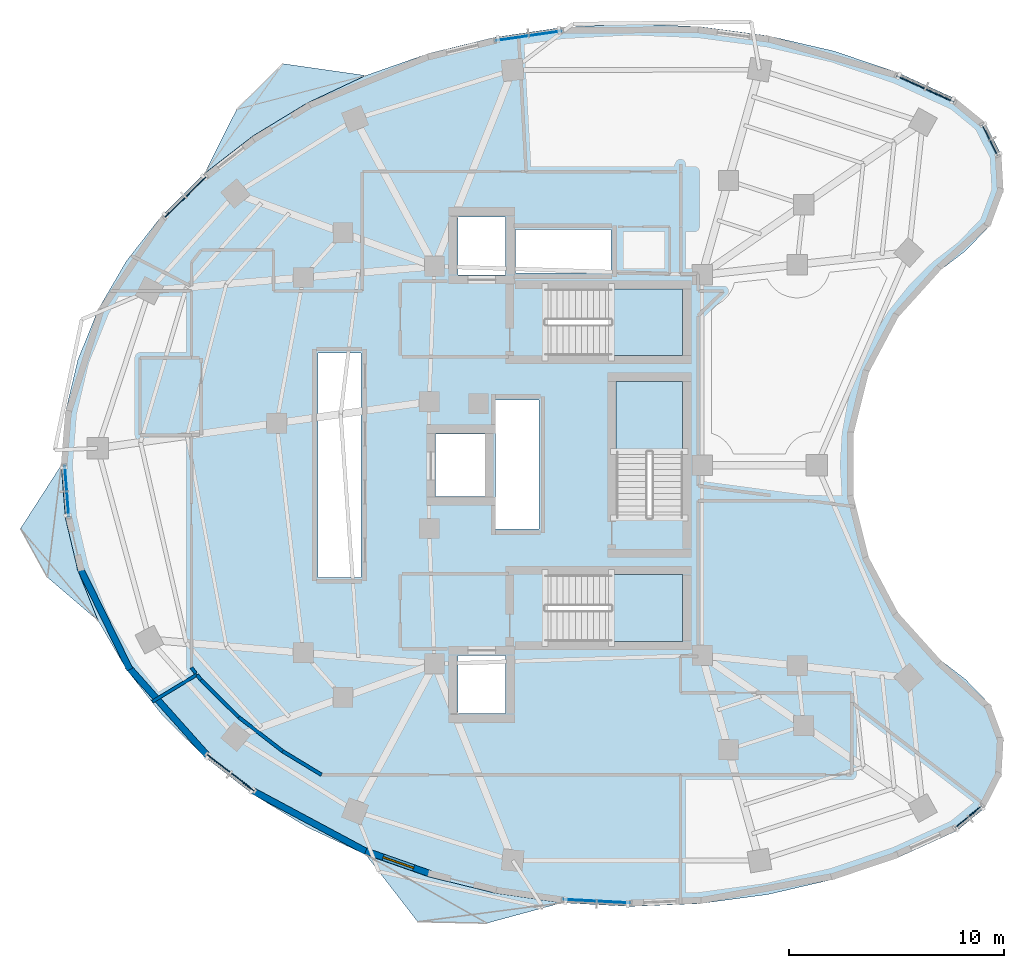
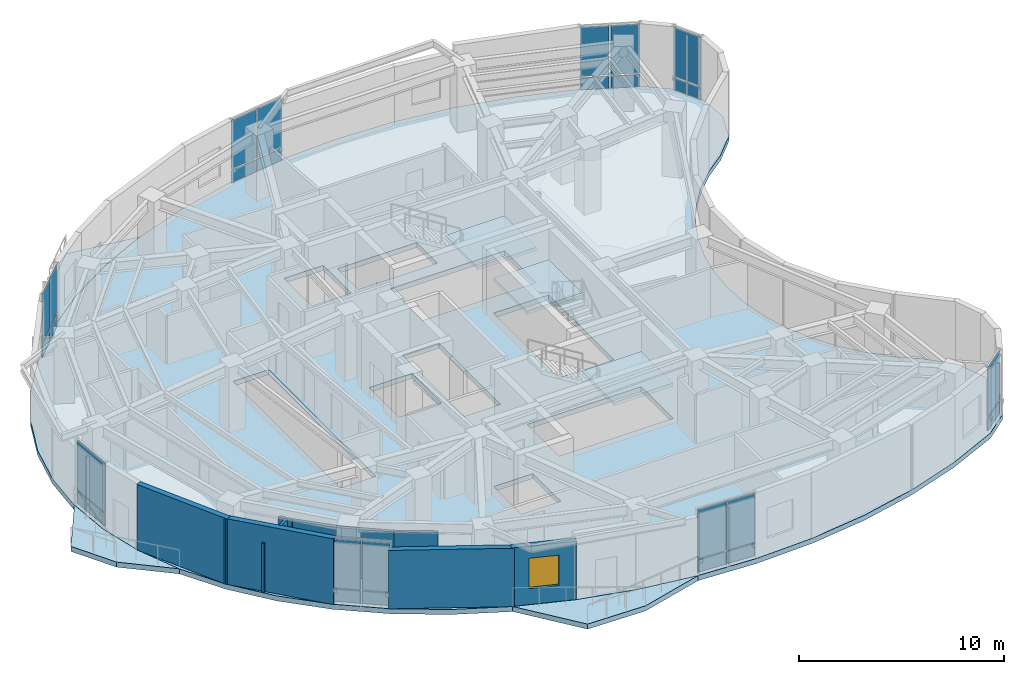
# One storey, part 6 of 13: 26 plates, 10 walls, 7 slabs, 1 window, 1 opening, 11 elements without a shape of their own.
"""IFC4 building model written with IfcOpenShell, lengths in metres."""

from ifc_helpers import new_model, si_unit, direction, frame, frame_2d, origin, origin_2d, place, context, subcontext, project, spatial, polyline, rectangle, outline, extrude, material, layer, layer_set, type_object, element, fill, aggregate, save


model = new_model("IFC4")

# Units and contexts
model_context = context("Model", 3, precision=1e-05, world=origin(), true_north=direction((0.0, 1.0)))
body_context = subcontext(model_context, "Body", "Model", "MODEL_VIEW")
ifc_project = project(units=[si_unit("LENGTHUNIT", "METRE"), si_unit("AREAUNIT", "SQUARE_METRE"), si_unit("VOLUMEUNIT", "CUBIC_METRE"), si_unit("PLANEANGLEUNIT", "RADIAN"), si_unit("MASSUNIT", "GRAM", prefix="KILO")], contexts=[model_context])

# Site, building, storey
site_placement = place(None, origin())
site = spatial("IfcSite", under=ifc_project, at=site_placement, CompositionType="ELEMENT")
building_placement = place(site_placement, origin())
building = spatial("IfcBuilding", under=site, at=building_placement, Name="Korentha Bioscience Tower", CompositionType="ELEMENT")
storey_placement = place(building_placement, frame((0.0, 0.0, 175.199951171875)))
storey = spatial("IfcBuildingStorey", under=building, at=storey_placement, Name="L40", CompositionType="ELEMENT", Elevation=175.199951171875)

# Curtain wall, plates
ifc_material_1 = material(Name="Thermally Broken Aluminium Frame", Category="aluminium")
ifc_layer_1 = layer(ifc_material_1, 0.219970703125, Name="Thermally Broken Aluminium Frame")
ifc_layer_set_1 = layer_set([ifc_layer_1], Name="Thermally Broken Aluminium Frame (CW-T2)")
curtain_wall_type = type_object("IfcCurtainWallType", Name="Solar-Screened Lab Unitised Curtain Wall CW-T2", PredefinedType="USERDEFINED", material=ifc_layer_set_1)
curtain_wall_1_placement = place(storey_placement, origin())
curtain_wall_1 = element("IfcCurtainWall", 1, at=curtain_wall_1_placement, inside=storey, type_object=curtain_wall_type, Name="L40 Curtain Wall 01", ObjectType="UNITISED", PredefinedType="USERDEFINED")
ifc_material_2 = material(Name="Triple-Glazed Low-E Insulated Glass", Category="glass")
ifc_layer_2 = layer(ifc_material_2, 0.0439453125, Name="Triple-Glazed Low-E Insulated Glass")
ifc_layer_set_2 = layer_set([ifc_layer_2], Name="Triple-Glazed Low-E Insulated Glass (GL-44)")
plate_type = type_object("IfcPlateType", Name="Glazed Panel 44mm", PredefinedType="CURTAIN_PANEL", material=ifc_layer_set_2)
plate_1_placement = place(storey_placement, frame((48.625732421875, 44.190673828125, 0.08984375), z_axis=(0.0, 0.0, 1.0), x_axis=(-0.910644398392, 0.413190972406, 0.0)))
plate_1 = element("IfcPlate", 2, at=plate_1_placement, type_object=plate_type, Name="CW-L40-01 Bay 1 Glazed Panel 1", PredefinedType="CURTAIN_PANEL", context=body_context, shape_type="SweptSolid", body=[
    extrude(rectangle(XDim=1.422607421875, YDim=0.0439453125, at=origin_2d()), origin(), (0.0, 0.0, 1.0), 0.715087890625),
])
plate_2_placement = place(storey_placement, frame((48.625732421875, 44.190673828125, 0.89501953125), z_axis=(0.0, 0.0, 1.0), x_axis=(-0.910644398392, 0.413190972406, 0.0)))
plate_2 = element("IfcPlate", 3, at=plate_2_placement, type_object=plate_type, Name="CW-L40-01 Bay 1 Glazed Panel 2", PredefinedType="CURTAIN_PANEL", context=body_context, shape_type="SweptSolid", body=[
    extrude(rectangle(XDim=1.422607421875, YDim=0.0439453125, at=origin_2d()), origin(), (0.0, 0.0, 1.0), 2.9150390625),
])
plate_3_placement = place(storey_placement, frame((47.248291015625, 44.815673828125, 0.08984375), z_axis=(0.0, 0.0, 1.0), x_axis=(-0.910644398392, 0.413190972406, 0.0)))
plate_3 = element("IfcPlate", 4, at=plate_3_placement, type_object=plate_type, Name="CW-L40-01 Bay 2 Glazed Panel 1", PredefinedType="CURTAIN_PANEL", context=body_context, shape_type="SweptSolid", body=[
    extrude(rectangle(XDim=1.422607421875, YDim=0.0439453125, at=origin_2d()), origin(), (0.0, 0.0, 1.0), 0.715087890625),
])
plate_4_placement = place(storey_placement, frame((47.248291015625, 44.815673828125, 0.89501953125), z_axis=(0.0, 0.0, 1.0), x_axis=(-0.910644398392, 0.413190972406, 0.0)))
plate_4 = element("IfcPlate", 5, at=plate_4_placement, type_object=plate_type, Name="CW-L40-01 Bay 2 Glazed Panel 2", PredefinedType="CURTAIN_PANEL", context=body_context, shape_type="SweptSolid", body=[
    extrude(rectangle(XDim=1.422607421875, YDim=0.0439453125, at=origin_2d()), origin(), (0.0, 0.0, 1.0), 2.9150390625),
])
aggregate(curtain_wall_1, [plate_1, plate_2, plate_3, plate_4])

curtain_wall_2_placement = place(storey_placement, origin())
curtain_wall_2 = element("IfcCurtainWall", 6, at=curtain_wall_2_placement, inside=storey, type_object=curtain_wall_type, Name="L40 Curtain Wall 07", ObjectType="UNITISED", PredefinedType="USERDEFINED")
plate_5_placement = place(storey_placement, frame((30.27099609375, 47.090087890625, 0.08984375), z_axis=(0.0, 0.0, 1.0), x_axis=(-0.989461919888, -0.144793332342, 0.0)))
plate_5 = element("IfcPlate", 7, at=plate_5_placement, type_object=plate_type, Name="CW-L40-07 Bay 1 Glazed Panel 1", PredefinedType="CURTAIN_PANEL", context=body_context, shape_type="SweptSolid", body=[
    extrude(rectangle(XDim=1.498291015625, YDim=0.0439453125, at=origin_2d()), origin(), (0.0, 0.0, 1.0), 0.715087890625),
])
plate_6_placement = place(storey_placement, frame((30.27099609375, 47.090087890625, 0.89501953125), z_axis=(0.0, 0.0, 1.0), x_axis=(-0.989461919888, -0.144793332342, 0.0)))
plate_6 = element("IfcPlate", 8, at=plate_6_placement, type_object=plate_type, Name="CW-L40-07 Bay 1 Glazed Panel 2", PredefinedType="CURTAIN_PANEL", context=body_context, shape_type="SweptSolid", body=[
    extrude(rectangle(XDim=1.498291015625, YDim=0.0439453125, at=origin_2d()), origin(), (0.0, 0.0, 1.0), 2.9150390625),
])
plate_7_placement = place(storey_placement, frame((28.69921875, 46.860107421875, 0.08984375), z_axis=(0.0, 0.0, 1.0), x_axis=(-0.989461919888, -0.144793332342, 0.0)))
plate_7 = element("IfcPlate", 9, at=plate_7_placement, type_object=plate_type, Name="CW-L40-07 Bay 2 Glazed Panel 1", PredefinedType="CURTAIN_PANEL", context=body_context, shape_type="SweptSolid", body=[
    extrude(rectangle(XDim=1.498291015625, YDim=0.0439453125, at=origin_2d()), origin(), (0.0, 0.0, 1.0), 0.715087890625),
])
plate_8_placement = place(storey_placement, frame((28.69921875, 46.860107421875, 0.89501953125), z_axis=(0.0, 0.0, 1.0), x_axis=(-0.989461919888, -0.144793332342, 0.0)))
plate_8 = element("IfcPlate", 10, at=plate_8_placement, type_object=plate_type, Name="CW-L40-07 Bay 2 Glazed Panel 2", PredefinedType="CURTAIN_PANEL", context=body_context, shape_type="SweptSolid", body=[
    extrude(rectangle(XDim=1.498291015625, YDim=0.0439453125, at=origin_2d()), origin(), (0.0, 0.0, 1.0), 2.9150390625),
])
aggregate(curtain_wall_2, [plate_5, plate_6, plate_7, plate_8])

curtain_wall_3_placement = place(storey_placement, origin())
curtain_wall_3 = element("IfcCurtainWall", 11, at=curtain_wall_3_placement, inside=storey, type_object=curtain_wall_type, Name="L40 Curtain Wall 13", ObjectType="UNITISED", PredefinedType="USERDEFINED")
plate_9_placement = place(storey_placement, frame((14.00830078125, 39.957763671875, 0.08984375), z_axis=(0.0, 0.0, 1.0), x_axis=(-0.711460557971, -0.702726030862, 0.0)))
plate_9 = element("IfcPlate", 12, at=plate_9_placement, type_object=plate_type, Name="CW-L40-13 Bay 1 Glazed Panel 1", PredefinedType="CURTAIN_PANEL", context=body_context, shape_type="SweptSolid", body=[
    extrude(rectangle(XDim=1.290283203125, YDim=0.0439453125, at=origin_2d()), origin(), (0.0, 0.0, 1.0), 0.715087890625),
])
plate_10_placement = place(storey_placement, frame((14.00830078125, 39.957763671875, 0.89501953125), z_axis=(0.0, 0.0, 1.0), x_axis=(-0.711460557971, -0.702726030862, 0.0)))
plate_10 = element("IfcPlate", 13, at=plate_10_placement, type_object=plate_type, Name="CW-L40-13 Bay 1 Glazed Panel 2", PredefinedType="CURTAIN_PANEL", context=body_context, shape_type="SweptSolid", body=[
    extrude(rectangle(XDim=1.290283203125, YDim=0.0439453125, at=origin_2d()), origin(), (0.0, 0.0, 1.0), 2.9150390625),
])
plate_11_placement = place(storey_placement, frame((13.0263671875, 38.98779296875, 0.08984375), z_axis=(0.0, 0.0, 1.0), x_axis=(-0.711460557971, -0.702726030862, 0.0)))
plate_11 = element("IfcPlate", 14, at=plate_11_placement, type_object=plate_type, Name="CW-L40-13 Bay 2 Glazed Panel 1", PredefinedType="CURTAIN_PANEL", context=body_context, shape_type="SweptSolid", body=[
    extrude(rectangle(XDim=1.290283203125, YDim=0.0439453125, at=origin_2d()), origin(), (0.0, 0.0, 1.0), 0.715087890625),
])
plate_12_placement = place(storey_placement, frame((13.0263671875, 38.98779296875, 0.89501953125), z_axis=(0.0, 0.0, 1.0), x_axis=(-0.711460557971, -0.702726030862, 0.0)))
plate_12 = element("IfcPlate", 15, at=plate_12_placement, type_object=plate_type, Name="CW-L40-13 Bay 2 Glazed Panel 2", PredefinedType="CURTAIN_PANEL", context=body_context, shape_type="SweptSolid", body=[
    extrude(rectangle(XDim=1.290283203125, YDim=0.0439453125, at=origin_2d()), origin(), (0.0, 0.0, 1.0), 2.9150390625),
])
aggregate(curtain_wall_3, [plate_9, plate_10, plate_11, plate_12])

curtain_wall_4_placement = place(storey_placement, origin())
curtain_wall_4 = element("IfcCurtainWall", 16, at=curtain_wall_4_placement, inside=storey, type_object=curtain_wall_type, Name="L40 Curtain Wall 19", ObjectType="UNITISED", PredefinedType="USERDEFINED")
plate_13_placement = place(storey_placement, frame((7.991943359375, 25.781005859375, 0.08984375), z_axis=(0.0, 0.0, 1.0), x_axis=(0.078030772566, -0.996950950916, 0.0)))
plate_13 = element("IfcPlate", 17, at=plate_13_placement, type_object=plate_type, Name="CW-L40-19 Bay 1 Glazed Panel 1", PredefinedType="CURTAIN_PANEL", context=body_context, shape_type="SweptSolid", body=[
    extrude(rectangle(XDim=2.370361328125, YDim=0.0439453125, at=origin_2d()), origin(), (0.0, 0.0, 1.0), 0.715087890625),
])
plate_14_placement = place(storey_placement, frame((7.991943359375, 25.781005859375, 0.89501953125), z_axis=(0.0, 0.0, 1.0), x_axis=(0.078030772566, -0.996950950916, 0.0)))
plate_14 = element("IfcPlate", 18, at=plate_14_placement, type_object=plate_type, Name="CW-L40-19 Bay 1 Glazed Panel 2", PredefinedType="CURTAIN_PANEL", context=body_context, shape_type="SweptSolid", body=[
    extrude(rectangle(XDim=2.370361328125, YDim=0.0439453125, at=origin_2d()), origin(), (0.0, 0.0, 1.0), 2.9150390625),
])
aggregate(curtain_wall_4, [plate_13, plate_14])

curtain_wall_5_placement = place(storey_placement, origin())
curtain_wall_5 = element("IfcCurtainWall", 19, at=curtain_wall_5_placement, inside=storey, type_object=curtain_wall_type, Name="L40 Curtain Wall 25", ObjectType="UNITISED", PredefinedType="USERDEFINED")
plate_15_placement = place(storey_placement, frame((15.0556640625, 13.126953125, 0.08984375), z_axis=(0.0, 0.0, 1.0), x_axis=(0.790546796919, -0.612401634454, 0.0)))
plate_15 = element("IfcPlate", 20, at=plate_15_placement, type_object=plate_type, Name="CW-L40-25 Bay 1 Glazed Panel 1", PredefinedType="CURTAIN_PANEL", context=body_context, shape_type="SweptSolid", body=[
    extrude(rectangle(XDim=1.3349609375, YDim=0.0439453125, at=origin_2d()), origin(), (0.0, 0.0, 1.0), 0.715087890625),
])
plate_16_placement = place(storey_placement, frame((15.0556640625, 13.126953125, 0.89501953125), z_axis=(0.0, 0.0, 1.0), x_axis=(0.790546796919, -0.612401634454, 0.0)))
plate_16 = element("IfcPlate", 21, at=plate_16_placement, type_object=plate_type, Name="CW-L40-25 Bay 1 Glazed Panel 2", PredefinedType="CURTAIN_PANEL", context=body_context, shape_type="SweptSolid", body=[
    extrude(rectangle(XDim=1.3349609375, YDim=0.0439453125, at=origin_2d()), origin(), (0.0, 0.0, 1.0), 2.9150390625),
])
plate_17_placement = place(storey_placement, frame((16.18212890625, 12.25439453125, 0.08984375), z_axis=(0.0, 0.0, 1.0), x_axis=(0.790546796919, -0.612401634454, 0.0)))
plate_17 = element("IfcPlate", 22, at=plate_17_placement, type_object=plate_type, Name="CW-L40-25 Bay 2 Glazed Panel 1", PredefinedType="CURTAIN_PANEL", context=body_context, shape_type="SweptSolid", body=[
    extrude(rectangle(XDim=1.3349609375, YDim=0.0439453125, at=origin_2d()), origin(), (0.0, 0.0, 1.0), 0.715087890625),
])
plate_18_placement = place(storey_placement, frame((16.18212890625, 12.25439453125, 0.89501953125), z_axis=(0.0, 0.0, 1.0), x_axis=(0.790546796919, -0.612401634454, 0.0)))
plate_18 = element("IfcPlate", 23, at=plate_18_placement, type_object=plate_type, Name="CW-L40-25 Bay 2 Glazed Panel 2", PredefinedType="CURTAIN_PANEL", context=body_context, shape_type="SweptSolid", body=[
    extrude(rectangle(XDim=1.3349609375, YDim=0.0439453125, at=origin_2d()), origin(), (0.0, 0.0, 1.0), 2.9150390625),
])
aggregate(curtain_wall_5, [plate_15, plate_16, plate_17, plate_18])

curtain_wall_6_placement = place(storey_placement, origin())
curtain_wall_6 = element("IfcCurtainWall", 24, at=curtain_wall_6_placement, inside=storey, type_object=curtain_wall_type, Name="L40 Curtain Wall 31", ObjectType="UNITISED", PredefinedType="USERDEFINED")
plate_19_placement = place(storey_placement, frame((31.849853515625, 6.75390625, 0.08984375), z_axis=(0.0, 0.0, 1.0), x_axis=(0.998637677307, -0.052180355139, 0.0)))
plate_19 = element("IfcPlate", 25, at=plate_19_placement, type_object=plate_type, Name="CW-L40-31 Bay 1 Glazed Panel 1", PredefinedType="CURTAIN_PANEL", context=body_context, shape_type="SweptSolid", body=[
    extrude(rectangle(XDim=1.50830078125, YDim=0.0439453125, at=origin_2d()), origin(), (0.0, 0.0, 1.0), 0.715087890625),
])
plate_20_placement = place(storey_placement, frame((31.849853515625, 6.75390625, 0.89501953125), z_axis=(0.0, 0.0, 1.0), x_axis=(0.998637677307, -0.052180355139, 0.0)))
plate_20 = element("IfcPlate", 26, at=plate_20_placement, type_object=plate_type, Name="CW-L40-31 Bay 1 Glazed Panel 2", PredefinedType="CURTAIN_PANEL", context=body_context, shape_type="SweptSolid", body=[
    extrude(rectangle(XDim=1.50830078125, YDim=0.0439453125, at=origin_2d()), origin(), (0.0, 0.0, 1.0), 2.9150390625),
])
plate_21_placement = place(storey_placement, frame((33.446044921875, 6.67041015625, 0.08984375), z_axis=(0.0, 0.0, 1.0), x_axis=(0.998637677307, -0.052180355139, 0.0)))
plate_21 = element("IfcPlate", 27, at=plate_21_placement, type_object=plate_type, Name="CW-L40-31 Bay 2 Glazed Panel 1", PredefinedType="CURTAIN_PANEL", context=body_context, shape_type="SweptSolid", body=[
    extrude(rectangle(XDim=1.50830078125, YDim=0.0439453125, at=origin_2d()), origin(), (0.0, 0.0, 1.0), 0.715087890625),
])
plate_22_placement = place(storey_placement, frame((33.446044921875, 6.67041015625, 0.89501953125), z_axis=(0.0, 0.0, 1.0), x_axis=(0.998637677307, -0.052180355139, 0.0)))
plate_22 = element("IfcPlate", 28, at=plate_22_placement, type_object=plate_type, Name="CW-L40-31 Bay 2 Glazed Panel 2", PredefinedType="CURTAIN_PANEL", context=body_context, shape_type="SweptSolid", body=[
    extrude(rectangle(XDim=1.50830078125, YDim=0.0439453125, at=origin_2d()), origin(), (0.0, 0.0, 1.0), 2.9150390625),
])
aggregate(curtain_wall_6, [plate_19, plate_20, plate_21, plate_22])

curtain_wall_7_placement = place(storey_placement, origin())
curtain_wall_7 = element("IfcCurtainWall", 29, at=curtain_wall_7_placement, inside=storey, type_object=curtain_wall_type, Name="L40 Curtain Wall 37", ObjectType="UNITISED", PredefinedType="USERDEFINED")
plate_23_placement = place(storey_placement, frame((49.938720703125, 10.637451171875, 0.08984375), z_axis=(0.0, 0.0, 1.0), x_axis=(0.77425646139, 0.632871971251, 0.0)))
plate_23 = element("IfcPlate", 30, at=plate_23_placement, type_object=plate_type, Name="CW-L40-37 Bay 1 Glazed Panel 1", PredefinedType="CURTAIN_PANEL", context=body_context, shape_type="SweptSolid", body=[
    extrude(rectangle(XDim=1.591796875, YDim=0.0439453125, at=origin_2d()), origin(), (0.0, 0.0, 1.0), 0.715087890625),
])
plate_24_placement = place(storey_placement, frame((49.938720703125, 10.637451171875, 0.89501953125), z_axis=(0.0, 0.0, 1.0), x_axis=(0.77425646139, 0.632871971251, 0.0)))
plate_24 = element("IfcPlate", 31, at=plate_24_placement, type_object=plate_type, Name="CW-L40-37 Bay 1 Glazed Panel 2", PredefinedType="CURTAIN_PANEL", context=body_context, shape_type="SweptSolid", body=[
    extrude(rectangle(XDim=1.591796875, YDim=0.0439453125, at=origin_2d()), origin(), (0.0, 0.0, 1.0), 2.9150390625),
])
aggregate(curtain_wall_7, [plate_23, plate_24])

curtain_wall_8_placement = place(storey_placement, origin())
curtain_wall_8 = element("IfcCurtainWall", 32, at=curtain_wall_8_placement, inside=storey, type_object=curtain_wall_type, Name="L40 Curtain Wall 61", ObjectType="UNITISED", PredefinedType="USERDEFINED")
plate_25_placement = place(storey_placement, frame((50.936767578125, 42.124755859375, 0.08984375), z_axis=(0.0, 0.0, 1.0), x_axis=(-0.45428845847, 0.890854643868, 0.0)))
plate_25 = element("IfcPlate", 33, at=plate_25_placement, type_object=plate_type, Name="CW-L40-61 Bay 1 Glazed Panel 1", PredefinedType="CURTAIN_PANEL", context=body_context, shape_type="SweptSolid", body=[
    extrude(rectangle(XDim=1.591796875, YDim=0.0439453125, at=origin_2d()), origin(), (0.0, 0.0, 1.0), 0.715087890625),
])
plate_26_placement = place(storey_placement, frame((50.936767578125, 42.124755859375, 0.89501953125), z_axis=(0.0, 0.0, 1.0), x_axis=(-0.45428845847, 0.890854643868, 0.0)))
plate_26 = element("IfcPlate", 34, at=plate_26_placement, type_object=plate_type, Name="CW-L40-61 Bay 1 Glazed Panel 2", PredefinedType="CURTAIN_PANEL", context=body_context, shape_type="SweptSolid", body=[
    extrude(rectangle(XDim=1.591796875, YDim=0.0439453125, at=origin_2d()), origin(), (0.0, 0.0, 1.0), 2.9150390625),
])
aggregate(curtain_wall_8, [plate_25, plate_26])

# Slab
ifc_material_3 = material(Name="Concrete C50", Category="concrete")
ifc_layer_3 = layer(ifc_material_3, 0.300048828125, Name="Concrete C50")
ifc_layer_set_3 = layer_set([ifc_layer_3], Name="Concrete C50 (SL-L300)")
slab_type_1 = type_object("IfcSlabType", Name="Laboratory Vibration-Controlled Slab 300", PredefinedType="FLOOR", material=ifc_layer_set_3)
slab_1_placement = place(storey_placement, frame((0.0, 0.0, -0.300048828125)))
element("IfcSlab", 35, at=slab_1_placement, inside=storey, type_object=slab_type_1, Name="L40 Tower Structural Floor Slab", PredefinedType="FLOOR", context=body_context, shape_type="SweptSolid", body=[
    extrude(outline(polyline([(49.38525390625, 44.021728515625), (46.62109375, 45.27587890625), (43.681396484375, 46.266357421875), (40.608154296875, 46.978515625), (37.446044921875, 47.40234375), (34.24072265625, 47.531494140625), (31.038330078125, 47.364013671875), (27.88525390625, 46.902587890625), (24.826904296875, 46.154052734375), (21.907470703125, 45.128662109375), (19.169189453125, 43.841552734375), (16.6513671875, 42.311279296875), (14.390380859375, 40.56005859375), (12.419189453125, 38.613037109375), (10.76611328125, 36.498291015625), (9.454833984375, 34.246337890625), (8.504638671875, 31.889892578125), (7.9287109375, 29.462646484375), (7.736083984375, 27.0), (7.9287109375, 24.537353515625), (8.504638671875, 22.110107421875), (9.454833984375, 19.753662109375), (10.76611328125, 17.501708984375), (12.419189453125, 15.386962890625), (14.390380859375, 13.43994140625), (16.6513671875, 11.688720703125), (19.169189453125, 10.158447265625), (21.907470703125, 8.871337890625), (24.826904296875, 7.845947265625), (27.88525390625, 7.097412109375), (31.038330078125, 6.635986328125), (34.24072265625, 6.468505859375), (37.446044921875, 6.59765625), (40.608154296875, 7.021484375), (43.681396484375, 7.733642578125), (46.62109375, 8.72412109375), (49.38525390625, 9.978271484375), (50.695068359375, 11.048828125), (51.46337890625, 12.55615234375), (51.560791015625, 14.2451171875), (50.970458984375, 15.83056640625), (49.792236328125, 17.044677734375), (48.629150390625, 17.937255859375), (47.583251953125, 18.96484375), (46.670654296875, 20.1123046875), (45.904541015625, 21.3623046875), (45.29638671875, 22.696533203125), (44.855712890625, 24.094970703125), (44.58837890625, 25.53662109375), (44.498779296875, 27.0), (44.58837890625, 28.46337890625), (44.855712890625, 29.905029296875), (45.29638671875, 31.303466796875), (45.904541015625, 32.6376953125), (46.670654296875, 33.8876953125), (47.583251953125, 35.03515625), (48.629150390625, 36.062744140625), (49.792236328125, 36.955322265625), (50.970458984375, 38.16943359375), (51.560791015625, 39.7548828125), (51.46337890625, 41.44384765625), (50.695068359375, 42.951171875), (49.38525390625, 44.021728515625)]), holes=[polyline([(30.25, 32.10009765625), (36.64990234375, 32.10009765625), (36.64990234375, 35.199951171875), (30.25, 35.199951171875), (30.25, 32.10009765625)]), polyline([(30.25, 18.800048828125), (36.64990234375, 18.800048828125), (36.64990234375, 21.89990234375), (30.25, 21.89990234375), (30.25, 18.800048828125)]), polyline([(36.64990234375, 24.550048828125), (36.64990234375, 30.89990234375), (33.550048828125, 30.89990234375), (33.550048828125, 24.550048828125), (36.64990234375, 24.550048828125)]), polyline([(19.679931640625, 21.780029296875), (21.669921875, 21.780029296875), (21.669921875, 32.219970703125), (19.679931640625, 32.219970703125), (19.679931640625, 21.780029296875)]), polyline([(27.929931640625, 24.030029296875), (29.969970703125, 24.030029296875), (29.969970703125, 30.02001953125), (27.929931640625, 30.02001953125), (27.929931640625, 24.030029296875)]), polyline([(28.860107421875, 35.93994140625), (33.31005859375, 35.93994140625), (33.31005859375, 37.9599609375), (28.860107421875, 37.9599609375), (28.860107421875, 35.93994140625)]), polyline([(26.199951171875, 15.449951171875), (28.39990234375, 15.449951171875), (28.39990234375, 18.14990234375), (26.199951171875, 18.14990234375), (26.199951171875, 15.449951171875)]), polyline([(26.199951171875, 35.85009765625), (28.39990234375, 35.85009765625), (28.39990234375, 38.550048828125), (26.199951171875, 38.550048828125), (26.199951171875, 35.85009765625)]), polyline([(25.14990234375, 25.550048828125), (27.550048828125, 25.550048828125), (27.550048828125, 28.449951171875), (25.14990234375, 28.449951171875), (25.14990234375, 25.550048828125)])]), origin(), (0.0, 0.0, 1.0), 0.300048828125),
])

# Stair, slab
ifc_material_4 = material(Name="Precast Concrete C50", Category="concrete")
stair_type = type_object("IfcStairType", Name="Core Exit Dog-Leg Stair 1450", PredefinedType="HALF_TURN_STAIR", material=ifc_material_4)
stair_1_placement = place(storey_placement, origin())
stair_1 = element("IfcStair", 36, at=stair_1_placement, inside=storey, type_object=stair_type, Name="L40 Tower North Pressurized Exit Stair ST-1", PredefinedType="HALF_TURN_STAIR")
ifc_layer_4 = layer(ifc_material_3, 0.199951171875, Name="Concrete C50")
ifc_layer_set_4 = layer_set([ifc_layer_4], Name="Concrete C50 (SL-LND)")
slab_type_2 = type_object("IfcSlabType", Name="Landing Slab 200", PredefinedType="LANDING", material=ifc_layer_set_4)
slab_2_placement = place(storey_placement, frame((0.0, 0.0, 1.900146484375)))
slab_2 = element("IfcSlab", 37, at=slab_2_placement, type_object=slab_type_2, Name="ST-1 landing 1", PredefinedType="LANDING", context=body_context, shape_type="SweptSolid", body=[
    extrude(outline(polyline([(33.330078125, 32.10009765625), (36.64990234375, 32.10009765625), (36.64990234375, 35.199951171875), (33.330078125, 35.199951171875), (33.330078125, 32.10009765625)])), origin(), (0.0, 0.0, 1.0), 0.199951171875),
])
aggregate(stair_1, [slab_2])

stair_2_placement = place(storey_placement, origin())
stair_2 = element("IfcStair", 38, at=stair_2_placement, inside=storey, type_object=stair_type, Name="L40 Tower South Pressurized Exit Stair ST-2", PredefinedType="HALF_TURN_STAIR")
slab_3_placement = place(storey_placement, frame((0.0, 0.0, 1.900146484375)))
slab_3 = element("IfcSlab", 39, at=slab_3_placement, type_object=slab_type_2, Name="ST-2 landing 1", PredefinedType="LANDING", context=body_context, shape_type="SweptSolid", body=[
    extrude(outline(polyline([(33.330078125, 18.800048828125), (36.64990234375, 18.800048828125), (36.64990234375, 21.89990234375), (33.330078125, 21.89990234375), (33.330078125, 18.800048828125)])), origin(), (0.0, 0.0, 1.0), 0.199951171875),
])
aggregate(stair_2, [slab_3])

stair_3_placement = place(storey_placement, origin())
stair_3 = element("IfcStair", 40, at=stair_3_placement, inside=storey, type_object=stair_type, Name="L40 Tower Central Pressurized Exit Stair ST-3", PredefinedType="HALF_TURN_STAIR")
slab_4_placement = place(storey_placement, frame((0.0, 0.0, 1.900146484375)))
slab_4 = element("IfcSlab", 41, at=slab_4_placement, type_object=slab_type_2, Name="ST-3 landing 1", PredefinedType="LANDING", context=body_context, shape_type="SweptSolid", body=[
    extrude(outline(polyline([(36.64990234375, 27.6298828125), (36.64990234375, 30.89990234375), (33.550048828125, 30.89990234375), (33.550048828125, 27.6298828125), (36.64990234375, 27.6298828125)])), origin(), (0.0, 0.0, 1.0), 0.199951171875),
])
aggregate(stair_3, [slab_4])

# Slabs
ifc_layer_5 = layer(ifc_material_3, 0.300048828125, Name="Concrete C50")
ifc_layer_set_5 = layer_set([ifc_layer_5], Name="Concrete C50 (BS-240)")
slab_type_3 = type_object("IfcSlabType", Name="Sawtooth Sun-Ledge Balcony Slab 240", PredefinedType="USERDEFINED", material=ifc_layer_set_5)
slab_5_placement = place(storey_placement, frame((0.0, 0.0, -0.300048828125)))
element("IfcSlab", 42, at=slab_5_placement, inside=storey, type_object=slab_type_3, Name="L40 Sun-Ledge Balcony 01", ObjectType="BALCONY", PredefinedType="USERDEFINED", context=body_context, shape_type="SweptSolid", body=[
    extrude(outline(polyline([(14.390380859375, 40.56005859375), (16.6513671875, 42.311279296875), (19.169189453125, 43.841552734375), (21.907470703125, 45.128662109375), (18.052490234375, 45.678955078125), (15.898193359375, 43.550537109375), (14.390380859375, 40.56005859375)])), origin(), (0.0, 0.0, 1.0), 0.300048828125),
])
slab_6_placement = place(storey_placement, frame((0.0, 0.0, -0.300048828125)))
element("IfcSlab", 43, at=slab_6_placement, inside=storey, type_object=slab_type_3, Name="L40 Sun-Ledge Balcony 02", ObjectType="BALCONY", PredefinedType="USERDEFINED", context=body_context, shape_type="SweptSolid", body=[
    extrude(outline(polyline([(9.454833984375, 19.753662109375), (8.504638671875, 22.110107421875), (7.9287109375, 24.537353515625), (7.736083984375, 27.0), (5.8369140625, 24.041015625), (7.09375, 21.775390625), (9.454833984375, 19.753662109375)])), origin(), (0.0, 0.0, 1.0), 0.300048828125),
])
slab_7_placement = place(storey_placement, frame((0.0, 0.0, -0.300048828125)))
element("IfcSlab", 44, at=slab_7_placement, inside=storey, type_object=slab_type_3, Name="L40 Sun-Ledge Balcony 03", ObjectType="BALCONY", PredefinedType="USERDEFINED", context=body_context, shape_type="SweptSolid", body=[
    extrude(outline(polyline([(31.038330078125, 6.635986328125), (27.88525390625, 7.097412109375), (24.826904296875, 7.845947265625), (21.907470703125, 8.871337890625), (24.315673828125, 5.7578125), (27.54052734375, 5.68896484375), (31.038330078125, 6.635986328125)])), origin(), (0.0, 0.0, 1.0), 0.300048828125),
])

# Walls
ifc_material_5 = material(Name="Double-Stud Acoustic Gypsum", Category="gypsum")
ifc_layer_6 = layer(ifc_material_5, 0.14990234375, Name="Double-Stud Acoustic Gypsum")
ifc_layer_set_6 = layer_set([ifc_layer_6], Name="Double-Stud Acoustic Gypsum (IW-L150)")
wall_type_1 = type_object("IfcWallType", Name="Acoustic Laboratory Partition Wall 150", PredefinedType="PARTITIONING", material=ifc_layer_set_6)
wall_1_placement = place(storey_placement, frame((13.7919921875, 17.576416015625, 0.0), z_axis=(0.0, 0.0, 1.0), x_axis=(0.61611141045, -0.78765901881, 0.0)))
element("IfcWall", 45, at=wall_1_placement, inside=storey, type_object=wall_type_1, Name="L40 Interior Partition 018", PredefinedType="PARTITIONING", context=body_context, shape_type="SweptSolid", body=[
    extrude(rectangle(XDim=0.33447265625, YDim=0.14990234375, at=frame_2d((0.167236328125, 0.0))), origin(), (0.0, 0.0, 1.0), 2.91015625),
])
wall_2_placement = place(storey_placement, frame((14.04638671875, 17.251220703125, 0.0), z_axis=(0.0, 0.0, 1.0), x_axis=(-0.854959737725, -0.518694367494, 0.0)))
element("IfcWall", 46, at=wall_2_placement, inside=storey, type_object=wall_type_1, Name="L40 Interior Partition 019", PredefinedType="PARTITIONING", context=body_context, shape_type="SweptSolid", body=[
    extrude(rectangle(XDim=2.425048828125, YDim=0.14990234375, at=frame_2d((1.21240234375, 0.0))), origin(), (0.0, 0.0, 1.0), 2.91015625),
])
ifc_material_6 = material(Name="Gypsum-Clad Steel Stud", Category="steel")
ifc_layer_7 = layer(ifc_material_6, 0.159912109375, Name="Gypsum-Clad Steel Stud")
ifc_layer_set_7 = layer_set([ifc_layer_7], Name="Gypsum-Clad Steel Stud (IW-C160)")
wall_type_2 = type_object("IfcWallType", Name="Fire-Rated Corridor Partition Wall 160", PredefinedType="PARTITIONING", material=ifc_layer_set_7)
wall_3_placement = place(storey_placement, frame((14.052490234375, 17.243408203125, 0.0), z_axis=(0.0, 0.0, 1.0), x_axis=(0.615628260214, -0.788036702969, 0.0)))
element("IfcWall", 47, at=wall_3_placement, inside=storey, type_object=wall_type_2, Name="L40 Interior Partition 020", PredefinedType="PARTITIONING", context=body_context, shape_type="SweptSolid", body=[
    extrude(rectangle(XDim=0.30029296875, YDim=0.159912109375, at=frame_2d((0.150146484375, 0.0))), origin(), (0.0, 0.0, 1.0), 2.91015625),
])
wall_4_placement = place(storey_placement, frame((14.23828125, 17.005859375, 0.0), z_axis=(0.0, 0.0, 1.0), x_axis=(0.711447157113, -0.702739598027, 0.0)))
element("IfcWall", 48, at=wall_4_placement, inside=storey, type_object=wall_type_2, Name="L40 Interior Partition 021", PredefinedType="PARTITIONING", context=body_context, shape_type="SweptSolid", body=[
    extrude(rectangle(XDim=2.46728515625, YDim=0.159912109375, at=frame_2d((1.233642578125, 0.0))), origin(), (0.0, 0.0, 1.0), 2.91015625),
])
wall_5_placement = place(storey_placement, frame((15.99462890625, 15.27099609375, 0.0), z_axis=(0.0, 0.0, 1.0), x_axis=(0.790550458789, -0.61239690733, 0.0)))
element("IfcWall", 49, at=wall_5_placement, inside=storey, type_object=wall_type_2, Name="L40 Interior Partition 022", PredefinedType="PARTITIONING", context=body_context, shape_type="SweptSolid", body=[
    extrude(rectangle(XDim=2.574951171875, YDim=0.159912109375, at=frame_2d((1.28759765625, 0.0))), origin(), (0.0, 0.0, 1.0), 2.91015625),
])
wall_6_placement = place(storey_placement, frame((18.03125, 13.693603515625, 0.0), z_axis=(0.0, 0.0, 1.0), x_axis=(0.85454497186, -0.51937740716, 0.0)))
element("IfcWall", 50, at=wall_6_placement, inside=storey, type_object=wall_type_2, Name="L40 Interior Partition 023", PredefinedType="PARTITIONING", context=body_context, shape_type="SweptSolid", body=[
    extrude(rectangle(XDim=2.121826171875, YDim=0.159912109375, at=frame_2d((1.06103515625, 0.0))), origin(), (0.0, 0.0, 1.0), 2.91015625),
])

# Wall, opening, window
ifc_material_7 = material(Name="Honed Limestone Precast Concrete C40", Category="masonry")
ifc_layer_8 = layer(ifc_material_7, 0.300048828125, Name="Honed Limestone Precast Concrete C40")
ifc_layer_set_8 = layer_set([ifc_layer_8], Name="Honed Limestone Precast Concrete C40 (EW-ST300)")
wall_type_3 = type_object("IfcWallType", Name="Honed Limestone Cavity Spandrel Wall 300", PredefinedType="STANDARD", material=ifc_layer_set_8)
wall_7_placement = place(storey_placement, frame((21.90380859375, 9.042236328125, 0.0), z_axis=(0.0, 0.0, 1.0), x_axis=(0.943495444321, -0.331385495377, 0.0)))
wall_7 = element("IfcWall", 51, at=wall_7_placement, inside=storey, type_object=wall_type_3, Name="L40 Honed Limestone Spandrel Wall 28", PredefinedType="STANDARD", context=body_context, shape_type="SweptSolid", body=[
    extrude(rectangle(XDim=3.21435546875, YDim=0.300048828125, at=frame_2d((1.607177734375, 0.0))), origin(), (0.0, 0.0, 1.0), 3.469970703125),
])
opening_placement = place(wall_7_placement, frame((0.857177734375, 0.0, 0.949951171875)))
opening = element("IfcOpeningElement", 52, at=opening_placement, cuts=wall_7, Name="Opening WN-02", PredefinedType="OPENING", context=body_context, shape_type="SweptSolid", body=[
    extrude(rectangle(XDim=1.5, YDim=1.800048828125, at=frame_2d((0.75, 0.89990234375))), frame((0.0, 0.1650390625, 0.0), z_axis=(0.0, -1.0, 0.0), x_axis=(1.0, 0.0, 0.0)), (0.0, 0.0, 1.0), 0.329833984375),
])
ifc_material_8 = material(Name="Thermally Broken Aluminium Triple Glazing", Category="aluminium")
window_type = type_object("IfcWindowType", Name="Acoustic Operable Office Window 1500x1800", PartitioningType="DOUBLE_PANEL_VERTICAL", PredefinedType="WINDOW", material=ifc_material_8)
window_placement = place(opening_placement, origin())
window = element("IfcWindow", 53, at=window_placement, inside=storey, type_object=window_type, Name="L40 Facade Window 28", OverallHeight=1.800048828125, OverallWidth=1.5, PartitioningType="DOUBLE_PANEL_VERTICAL", PredefinedType="WINDOW", context=body_context, shape_type="SweptSolid", body=[
    extrude(rectangle(XDim=1.5, YDim=1.800048828125, at=frame_2d((0.75, 0.89990234375))), frame((0.0, 0.030029296875, 0.0), z_axis=(0.0, -1.0, 0.0), x_axis=(1.0, 0.0, 0.0)), (0.0, 0.0, 1.0), 0.06005859375),
])
fill(opening, window)

# Walls
wall_8_placement = place(storey_placement, frame((8.594970703125, 22.24365234375, 0.0), z_axis=(0.0, 0.0, 1.0), x_axis=(0.440559663002, -0.897723333403, 0.0)))
element("IfcWall", 54, at=wall_8_placement, inside=storey, type_object=wall_type_3, Name="L40 Limestone Perimeter Closure Wall 21", PredefinedType="STANDARD", context=body_context, shape_type="SweptSolid", body=[
    extrude(rectangle(XDim=5.29345703125, YDim=0.300048828125, at=frame_2d((2.646728515625, 0.0))), origin(), (0.0, 0.0, 1.0), 3.900146484375),
])
wall_9_placement = place(storey_placement, frame((10.8173828125, 17.654541015625, 0.0), z_axis=(0.0, 0.0, 1.0), x_axis=(0.665771576384, -0.74615561921, 0.0)))
element("IfcWall", 55, at=wall_9_placement, inside=storey, type_object=wall_type_3, Name="L40 Limestone Perimeter Closure Wall 23", PredefinedType="STANDARD", context=body_context, shape_type="SweptSolid", body=[
    extrude(rectangle(XDim=5.603515625, YDim=0.300048828125, at=frame_2d((2.8017578125, 0.0))), origin(), (0.0, 0.0, 1.0), 3.900146484375),
])
wall_10_placement = place(storey_placement, frame((16.64697265625, 11.849853515625, 0.0), z_axis=(0.0, 0.0, 1.0), x_axis=(0.881364369565, -0.472437136624, 0.0)))
element("IfcWall", 56, at=wall_10_placement, inside=storey, type_object=wall_type_3, Name="L40 Limestone Perimeter Closure Wall 26", PredefinedType="STANDARD", context=body_context, shape_type="SweptSolid", body=[
    extrude(rectangle(XDim=6.123779296875, YDim=0.300048828125, at=frame_2d((3.06201171875, 0.0))), origin(), (0.0, 0.0, 1.0), 3.469970703125),
])

save(model, "model.ifc")
